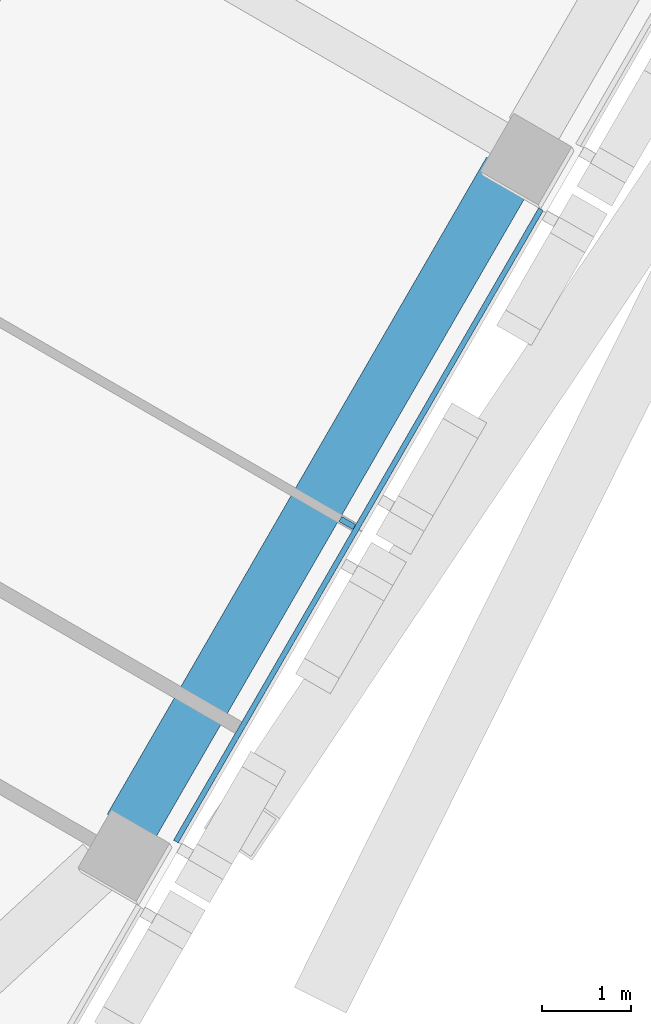
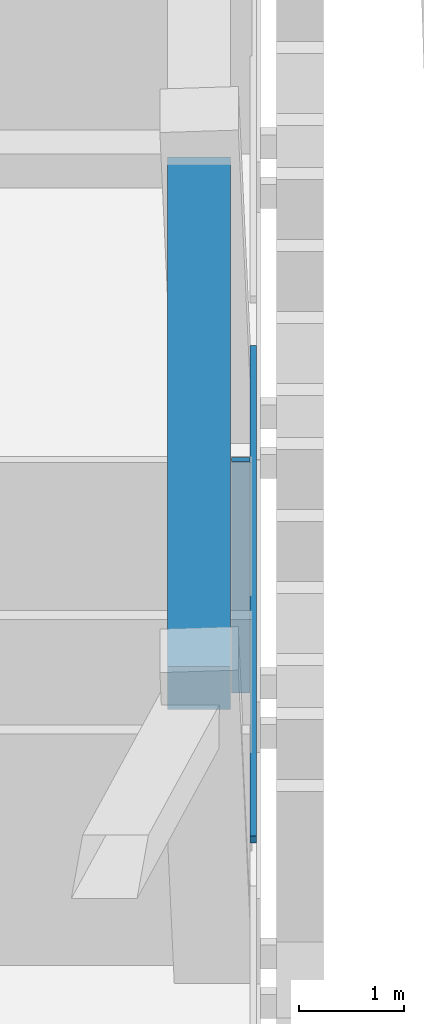
# One storey, part 7 of 22: 2 members, 1 beam, 1 element without a shape of its own.
"""IFC4 building model written with IfcOpenShell, lengths in metres."""

from ifc_helpers import new_model, si_unit, direction, frame, origin, origin_2d, place, context, subcontext, project, spatial, rectangle, extrude, material, layer, layer_set, material_profile, profile_set, type_object, element, aggregate, save


model = new_model("IFC4")

# Units and contexts
model_context = context("Model", 3, precision=1e-05, world=origin(), true_north=direction((0.0, 1.0)))
body_context = subcontext(model_context, "Body", "Model", "MODEL_VIEW")
ifc_project = project(units=[si_unit("LENGTHUNIT", "METRE"), si_unit("AREAUNIT", "SQUARE_METRE"), si_unit("VOLUMEUNIT", "CUBIC_METRE"), si_unit("PLANEANGLEUNIT", "RADIAN"), si_unit("MASSUNIT", "GRAM", prefix="KILO")], contexts=[model_context])

# Site, building, storey
site_placement = place(None, origin())
site = spatial("IfcSite", under=ifc_project, at=site_placement, CompositionType="ELEMENT")
building_placement = place(site_placement, origin())
building = spatial("IfcBuilding", under=site, at=building_placement, Name="Altiplano Prism Tower", CompositionType="ELEMENT")
storey_placement = place(building_placement, frame((0.0, 0.0, 219.39990234375)))
storey = spatial("IfcBuildingStorey", under=building, at=storey_placement, Name="L56", CompositionType="ELEMENT", Elevation=219.39990234375)

# Curtain wall, members
ifc_material_1 = material(Name="Aluminium and glass", Category="aluminium")
ifc_layer = layer(ifc_material_1, 0.280029296875)
ifc_layer_set = layer_set([ifc_layer], Name="Aluminium and glass")
curtain_wall_type = type_object("IfcCurtainWallType", Name="CW1 typical co-living unitised curtain wall", PredefinedType="NOTDEFINED", material=ifc_layer_set)
curtain_wall_placement = place(storey_placement, origin())
curtain_wall = element("IfcCurtainWall", 1, at=curtain_wall_placement, inside=storey, type_object=curtain_wall_type, Name="CW1 curtain wall south-east face L56", PredefinedType="NOTDEFINED")
ifc_material_2 = material(Name="Aluminium", Category="aluminium")
ifc_material_profile_1 = material_profile(ifc_material_2, rectangle(XDim=0.179931640625, YDim=0.06494140625, at=origin_2d()), Name="CW1 mullion 65 x 180")
ifc_profile_set_1 = profile_set([ifc_material_profile_1], Name="Aluminium")
member_type_1 = type_object("IfcMemberType", Name="CW1 mullion 65 x 180", PredefinedType="MULLION", material=ifc_profile_set_1)
member_1_placement = place(storey_placement, frame((94.2470703125, 73.205322265625, 0.0), z_axis=(0.0, 0.0, 1.0), x_axis=(-0.866025415356, 0.499999979958, 0.0)))
member_1 = element("IfcMember", 2, at=member_1_placement, type_object=member_type_1, Name="CW1 mullion", PredefinedType="MULLION", context=body_context, shape_type="SweptSolid", body=[
    extrude(rectangle(XDim=0.179931640625, YDim=0.06494140625, at=origin_2d()), origin(), (0.0, 0.0, 1.0), 2.7001953125),
])
ifc_material_profile_2 = material_profile(ifc_material_2, rectangle(XDim=0.06005859375, YDim=0.080078125, at=origin_2d()), Name="CW1 transom 80 x 60")
ifc_profile_set_2 = profile_set([ifc_material_profile_2], Name="Aluminium")
member_type_2 = type_object("IfcMemberType", Name="CW1 transom 80 x 60", PredefinedType="USERDEFINED", material=ifc_profile_set_2)
member_2_placement = place(storey_placement, frame((92.328125, 69.641845703125, 1.10009765625), z_axis=(0.500008722908, 0.866020367552, 0.0), x_axis=(-0.866020367552, 0.500008722908, 0.0)))
member_2 = element("IfcMember", 3, at=member_2_placement, type_object=member_type_2, Name="CW1 transom", ObjectType="TRANSOM", PredefinedType="USERDEFINED", context=body_context, shape_type="SweptSolid", body=[
    extrude(rectangle(XDim=0.06005859375, YDim=0.080078125, at=origin_2d()), origin(), (0.0, 0.0, 1.0), 8.169677734375),
])
aggregate(curtain_wall, [member_1, member_2])

# Beam
ifc_material_3 = material(Name="Concrete C60/75", Category="concrete")
ifc_material_profile_3 = material_profile(ifc_material_3, rectangle(XDim=0.60009765625, YDim=0.5, at=origin_2d()), Name="Edge beam 600x500")
ifc_profile_set_3 = profile_set([ifc_material_profile_3], Name="Concrete C60/75")
beam_type = type_object("IfcBeamType", Name="Edge beam 600x500", PredefinedType="SPANDREL", material=ifc_profile_set_3)
beam_placement = place(storey_placement, frame((91.8193359375, 69.797607421875, 2.9501953125), z_axis=(0.49998963237, 0.866031389456, 0.0), x_axis=(-0.866031389456, 0.49998963237, 0.0)))
element("IfcBeam", 4, at=beam_placement, inside=storey, type_object=beam_type, Name="Edge beam P21-P22 L57", PredefinedType="SPANDREL", context=body_context, shape_type="SweptSolid", body=[
    extrude(rectangle(XDim=0.60009765625, YDim=0.5, at=origin_2d()), origin(), (0.0, 0.0, 1.0), 8.489990234375),
])

save(model, "model.ifc")
